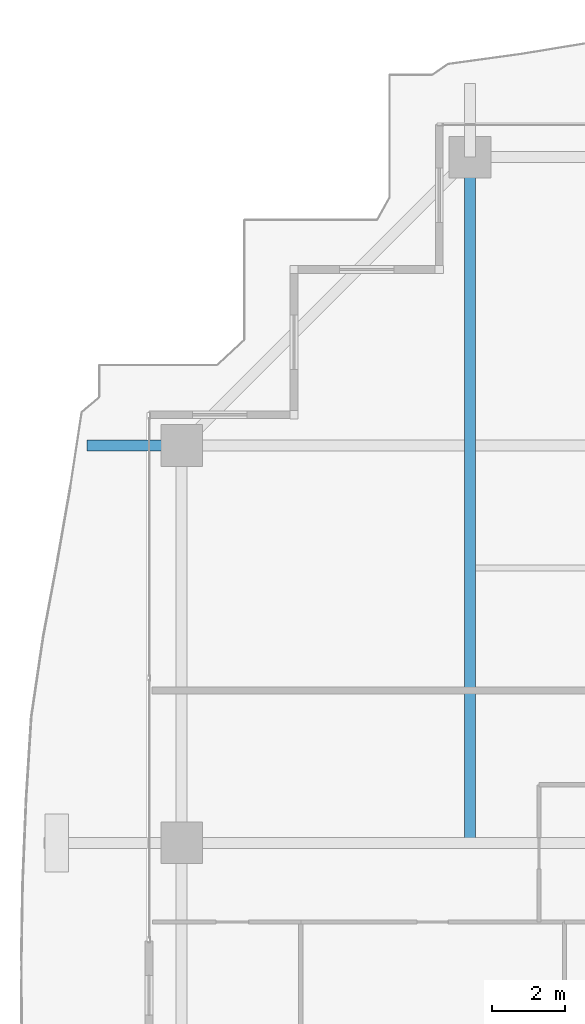
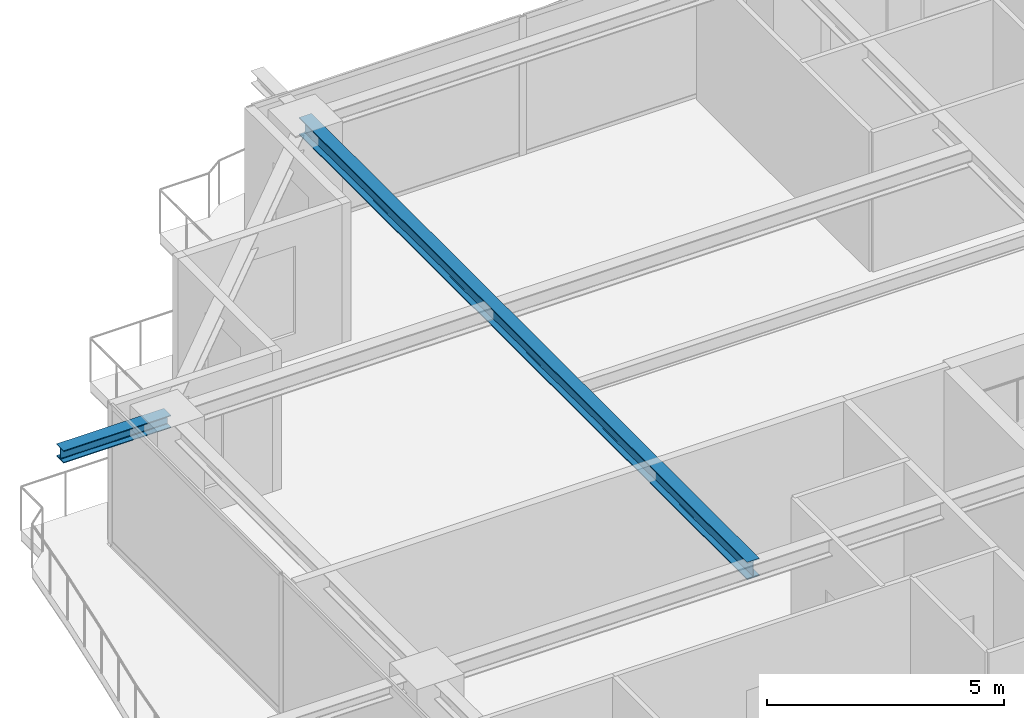
# One storey, part 18 of 40: 2 beams.
"""IFC4 building model written with IfcOpenShell, lengths in metres."""

from ifc_helpers import new_model, si_unit, direction, frame, origin, origin_2d, place, context, subcontext, project, spatial, i_section, extrude, source, transform, mapped, material, material_profile, profile_set, type_object, element, save


model = new_model("IFC4")

# Units and contexts
model_context = context("Model", 3, precision=1e-05, world=origin(), true_north=direction((0.0, 1.0)))
body_context = subcontext(model_context, "Body", "Model", "MODEL_VIEW")
ifc_project = project(units=[si_unit("LENGTHUNIT", "METRE"), si_unit("AREAUNIT", "SQUARE_METRE"), si_unit("VOLUMEUNIT", "CUBIC_METRE"), si_unit("PLANEANGLEUNIT", "RADIAN"), si_unit("MASSUNIT", "GRAM", prefix="KILO")], contexts=[model_context])

# Site, building, storey
site_placement = place(None, origin())
site = spatial("IfcSite", under=ifc_project, at=site_placement, CompositionType="ELEMENT")
building_placement = place(site_placement, origin())
building = spatial("IfcBuilding", under=site, at=building_placement, Name="Serunith Strait Residences", CompositionType="ELEMENT")
storey_placement = place(building_placement, frame((0.0, 0.0, 252.800048828125)))
storey = spatial("IfcBuildingStorey", under=building, at=storey_placement, Name="L63", CompositionType="ELEMENT", Elevation=252.800048828125)

# Beams
ifc_material = material(Name="Steel S355J2", Category="steel")
ifc_material_profile_1 = material_profile(ifc_material, i_section(OverallWidth=0.300048828125, OverallDepth=0.449951171875, WebThickness=0.013916015625, FlangeThickness=0.02587890625, FilletRadius=0.027099609375, at=origin_2d()), Name="HEB 450")
ifc_profile_set_1 = profile_set([ifc_material_profile_1], Name="Steel S355J2")
beam_type_1 = type_object("IfcBeamType", Name="BM-HEB450", PredefinedType="BEAM", material=ifc_profile_set_1)
shared_shape_1 = source(origin(), body_context, "Body", "SweptSolid", [
    extrude(i_section(OverallWidth=0.300048828125, OverallDepth=0.449951171875, WebThickness=0.013916015625, FlangeThickness=0.02587890625, FilletRadius=0.027099609375, at=origin_2d()), origin(), (0.0, 0.0, 1.0), 18.900146484375),
])
beam_1_placement = place(storey_placement, frame((16.25, 29.39990234375, 3.362060546875), z_axis=(0.0, 1.0, 0.0), x_axis=(-1.0, 0.0, 0.0)))
element("IfcBeam", 1, at=beam_1_placement, inside=storey, type_object=beam_type_1, Name="L63 Orthogonal Corner Girder TC-N1", PredefinedType="BEAM", context=body_context, shape_type="MappedRepresentation", body=[
    mapped(shared_shape_1, transform((0.0, 0.0, 0.0), scale=1.0)),
])
ifc_material_profile_2 = material_profile(ifc_material, i_section(OverallWidth=0.300048828125, OverallDepth=0.320068359375, WebThickness=0.011474609375, FlangeThickness=0.0205078125, FilletRadius=0.027099609375, at=origin_2d()), Name="HEB 320")
ifc_profile_set_2 = profile_set([ifc_material_profile_2], Name="Steel S355J2")
beam_type_2 = type_object("IfcBeamType", Name="BM-HEB320", PredefinedType="BEAM", material=ifc_profile_set_2)
shared_shape_2 = source(origin(), body_context, "Body", "SweptSolid", [
    extrude(i_section(OverallWidth=0.300048828125, OverallDepth=0.320068359375, WebThickness=0.011474609375, FlangeThickness=0.0205078125, FilletRadius=0.027099609375, at=origin_2d()), origin(), (0.0, 0.0, 1.0), 2.613037109375),
])
beam_2_placement = place(storey_placement, frame((8.300048828125, 40.35009765625, 3.39697265625), z_axis=(-1.0, 0.0, 0.0), x_axis=(0.0, -1.0, 0.0)))
element("IfcBeam", 2, at=beam_2_placement, inside=storey, type_object=beam_type_2, Name="L64 Cantilevered Balcony Rib TC-W4", PredefinedType="BEAM", context=body_context, shape_type="MappedRepresentation", body=[
    mapped(shared_shape_2, transform((0.0, 0.0, 0.0), scale=1.0)),
])

save(model, "model.ifc")
